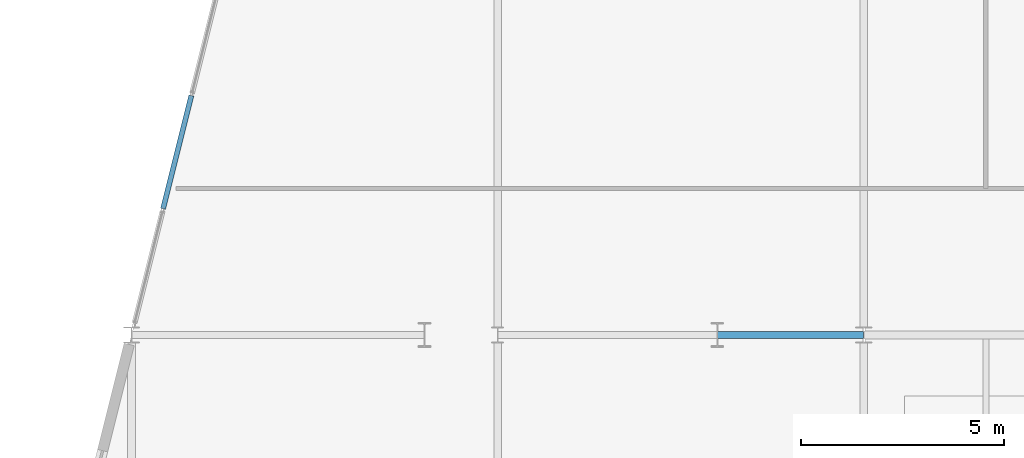
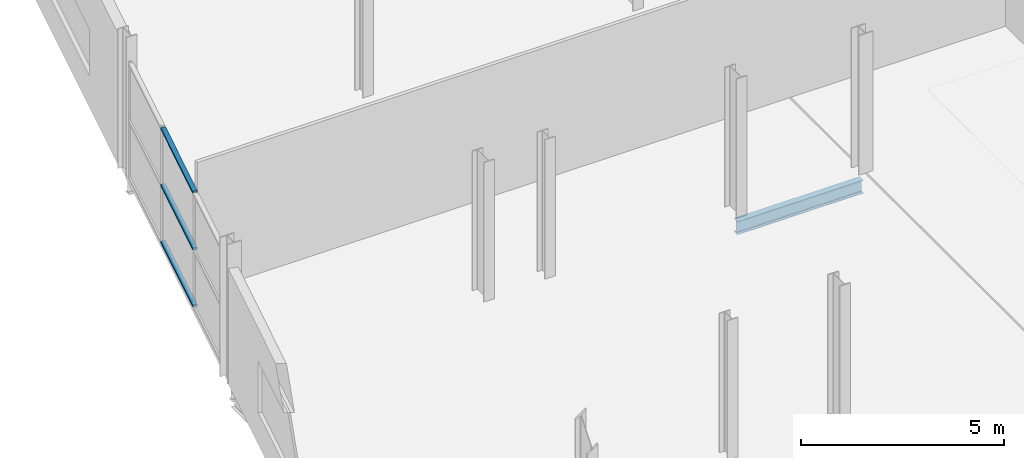
# One storey, part 42 of 88: 3 members, 1 beam, 1 element without a shape of its own.
"""IFC4 building model written with IfcOpenShell, lengths in metres."""

from ifc_helpers import new_model, si_unit, direction, frame, origin, origin_2d, place, context, subcontext, project, spatial, hollow_rectangle, i_section, extrude, material, layer, layer_set, material_profile, profile_set, type_object, element, aggregate, save


model = new_model("IFC4")

# Units and contexts
model_context = context("Model", 3, precision=1e-05, world=origin(), true_north=direction((0.0, 1.0)))
body_context = subcontext(model_context, "Body", "Model", "MODEL_VIEW")
ifc_project = project(units=[si_unit("LENGTHUNIT", "METRE"), si_unit("AREAUNIT", "SQUARE_METRE"), si_unit("VOLUMEUNIT", "CUBIC_METRE"), si_unit("PLANEANGLEUNIT", "RADIAN"), si_unit("MASSUNIT", "GRAM", prefix="KILO")], contexts=[model_context])

# Site, building, storey
site_placement = place(None, origin())
site = spatial("IfcSite", under=ifc_project, at=site_placement, CompositionType="ELEMENT")
building_placement = place(site_placement, origin())
building = spatial("IfcBuilding", under=site, at=building_placement, Name="Deido Ridge Mobility Hub", CompositionType="ELEMENT")
storey_placement = place(building_placement, frame((0.0, 0.0, 16.800048828125)))
storey = spatial("IfcBuildingStorey", under=building, at=storey_placement, Name="L04", CompositionType="ELEMENT", Elevation=16.800048828125)

# Beam
ifc_material_1 = material(Name="Steel S355J2 EN 10025-2", Category="steel")
ifc_material_profile_1 = material_profile(ifc_material_1, i_section(OverallWidth=0.179931640625, OverallDepth=0.39990234375, WebThickness=0.008544921875, FlangeThickness=0.013427734375, FilletRadius=0.02099609375, at=origin_2d()), Name="IPE 400")
ifc_profile_set_1 = profile_set([ifc_material_profile_1], Name="Steel S355J2 EN 10025-2")
beam_type = type_object("IfcBeamType", Name="BM-IPE400", PredefinedType="BEAM", material=ifc_profile_set_1)
beam_placement = place(storey_placement, frame((140.40771484375, 18.0, -0.47509765625), z_axis=(1.0, 0.0, 0.0), x_axis=(0.0, 1.0, 0.0)))
element("IfcBeam", 1, at=beam_placement, inside=storey, type_object=beam_type, Name="Floor beam B5", PredefinedType="BEAM", context=body_context, shape_type="SweptSolid", body=[
    extrude(i_section(OverallWidth=0.179931640625, OverallDepth=0.39990234375, WebThickness=0.008544921875, FlangeThickness=0.013427734375, FilletRadius=0.02099609375, at=origin_2d()), origin(), (0.0, 0.0, 1.0), 3.58349609375),
])

# Curtain wall, members
ifc_material_2 = material(Name="Anodised aluminium EN AW-6063 T6", Category="aluminium")
ifc_layer = layer(ifc_material_2, 0.2099609375, Name="Anodised aluminium EN AW-6063 T6")
ifc_layer_set = layer_set([ifc_layer], Name="Anodised aluminium EN AW-6063 T6")
curtain_wall_type = type_object("IfcCurtainWallType", Name="CW-UF-4", PredefinedType="USERDEFINED", material=ifc_layer_set)
curtain_wall_placement = place(storey_placement, origin())
curtain_wall = element("IfcCurtainWall", 2, at=curtain_wall_placement, inside=storey, type_object=curtain_wall_type, Name="Unitised curtain wall CW4", ObjectType="UNITISED FACADE", PredefinedType="USERDEFINED")
ifc_material_profile_2 = material_profile(ifc_material_2, hollow_rectangle(XDim=0.125, YDim=0.06005859375, WallThickness=0.00390625, at=origin_2d()), Name="RHS 125x60x4")
ifc_profile_set_2 = profile_set([ifc_material_profile_2], Name="Anodised aluminium EN AW-6063 T6")
member_type = type_object("IfcMemberType", Name="MEM-TRN-125X60", PredefinedType="USERDEFINED", material=ifc_profile_set_2)
member_1_placement = place(storey_placement, frame((126.775390625, 21.101318359375, 0.030029296875), z_axis=(0.242535625036, 0.970142500145, 0.0), x_axis=(-0.970142500145, 0.242535625036, 0.0)))
member_1 = element("IfcMember", 3, at=member_1_placement, type_object=member_type, Name="CW4 transom 2.1", ObjectType="TRANSOM", PredefinedType="USERDEFINED", context=body_context, shape_type="SweptSolid", body=[
    extrude(hollow_rectangle(XDim=0.125, YDim=0.06005859375, WallThickness=0.00390625, at=origin_2d()), origin(), (0.0, 0.0, 1.0), 2.867919921875),
])
member_2_placement = place(storey_placement, frame((126.775390625, 21.101318359375, 1.742431640625), z_axis=(0.242535625036, 0.970142500145, 0.0), x_axis=(-0.970142500145, 0.242535625036, 0.0)))
member_2 = element("IfcMember", 4, at=member_2_placement, type_object=member_type, Name="CW4 transom 2.2", ObjectType="TRANSOM", PredefinedType="USERDEFINED", context=body_context, shape_type="SweptSolid", body=[
    extrude(hollow_rectangle(XDim=0.125, YDim=0.06005859375, WallThickness=0.00390625, at=origin_2d()), origin(), (0.0, 0.0, 1.0), 2.867919921875),
])
member_3_placement = place(storey_placement, frame((126.775390625, 21.101318359375, 3.454833984375), z_axis=(0.242535625036, 0.970142500145, 0.0), x_axis=(-0.970142500145, 0.242535625036, 0.0)))
member_3 = element("IfcMember", 5, at=member_3_placement, type_object=member_type, Name="CW4 transom 2.3", ObjectType="TRANSOM", PredefinedType="USERDEFINED", context=body_context, shape_type="SweptSolid", body=[
    extrude(hollow_rectangle(XDim=0.125, YDim=0.06005859375, WallThickness=0.00390625, at=origin_2d()), origin(), (0.0, 0.0, 1.0), 2.867919921875),
])
aggregate(curtain_wall, [member_1, member_2, member_3])

save(model, "model.ifc")
